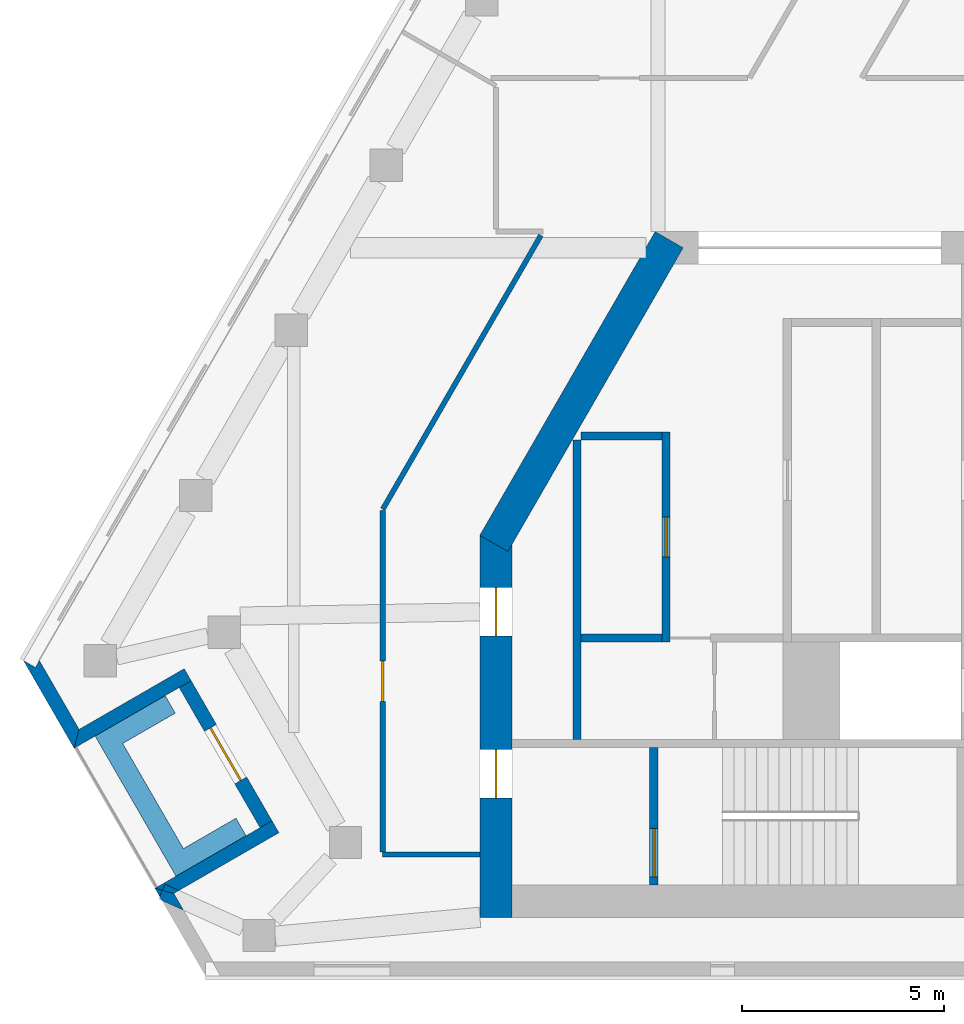
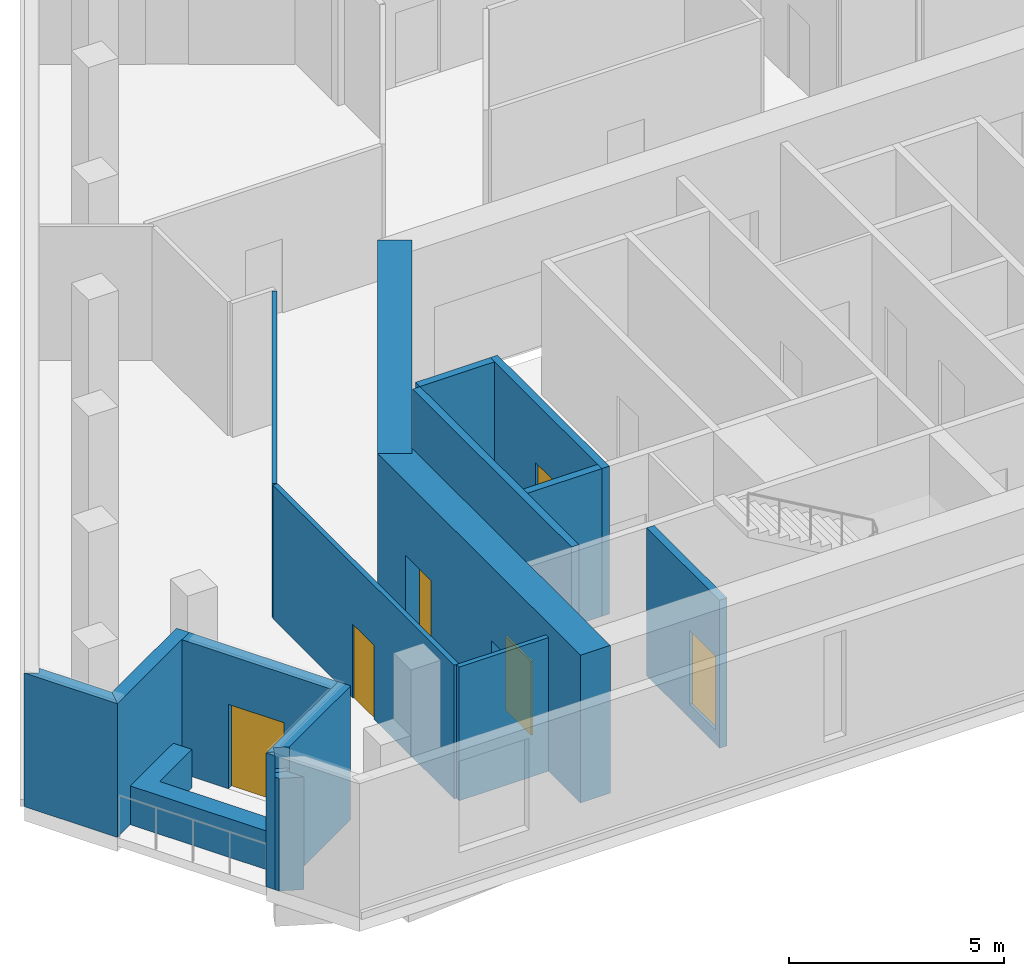
# One storey, part 2 of 8: 18 walls, 6 doors, 6 openings.
"""IFC4 building model written with IfcOpenShell, lengths in metres."""

from ifc_helpers import new_model, si_unit, direction, frame, frame_2d, origin, place, context, subcontext, project, spatial, polyline, rectangle, outline, extrude, material, layer, layer_set, type_object, element, fill, save


model = new_model("IFC4")

# Units and contexts
model_context = context("Model", 3, precision=1e-05, world=origin(), true_north=direction((0.0, 1.0)))
body_context = subcontext(model_context, "Body", "Model", "MODEL_VIEW")
ifc_project = project(units=[si_unit("LENGTHUNIT", "METRE"), si_unit("AREAUNIT", "SQUARE_METRE"), si_unit("VOLUMEUNIT", "CUBIC_METRE"), si_unit("PLANEANGLEUNIT", "RADIAN"), si_unit("MASSUNIT", "GRAM", prefix="KILO")], contexts=[model_context])

# Site, building, storey
site_placement = place(None, origin())
site = spatial("IfcSite", under=ifc_project, at=site_placement, CompositionType="ELEMENT")
building_placement = place(site_placement, origin())
building = spatial("IfcBuilding", under=site, at=building_placement, Name="Fogline Exchange Tower", CompositionType="ELEMENT")
storey_placement = place(building_placement, frame((0.0, 0.0, 318.300048828125)))
storey = spatial("IfcBuildingStorey", under=building, at=storey_placement, Name="L72", CompositionType="ELEMENT", Elevation=318.300048828125)

# Wall
ifc_material_1 = material(Name="Concrete C40", Category="concrete")
ifc_layer_1 = layer(ifc_material_1, 0.199951171875)
ifc_layer_set_1 = layer_set([ifc_layer_1], Name="CW20")
wall_type_1 = type_object("IfcWallType", Name="CW20", PredefinedType="SOLIDWALL", material=ifc_layer_set_1)
wall_1_placement = place(storey_placement, frame((-11.0, 5.85009765625, 0.0), z_axis=(0.0, 0.0, 1.0), x_axis=(0.0, 1.0, 0.0)))
element("IfcWall", 1, at=wall_1_placement, inside=storey, type_object=wall_type_1, Name="Service room wall", PredefinedType="SOLIDWALL", context=body_context, shape_type="SweptSolid", body=[
    extrude(rectangle(XDim=7.39990234375, YDim=0.199951171875, at=frame_2d((3.699951171875, 0.0))), origin(), (0.0, 0.0, 1.0), 3.800048828125),
])

# Wall, opening, door
ifc_layer_2 = layer(ifc_material_1, 0.199951171875)
ifc_layer_set_2 = layer_set([ifc_layer_2], Name="CW20R")
wall_type_2 = type_object("IfcWallType", Name="CW20R", PredefinedType="SOLIDWALL", material=ifc_layer_set_2)
wall_2_placement = place(storey_placement, frame((-9.10009765625, 2.25, -0.400146484375), z_axis=(0.0, 0.0, 1.0), x_axis=(0.0, 1.0, 0.0)))
wall_2 = element("IfcWall", 2, at=wall_2_placement, inside=storey, type_object=wall_type_2, Name="Stair enclosure wall", PredefinedType="SOLIDWALL", context=body_context, shape_type="SweptSolid", body=[
    extrude(rectangle(XDim=3.39990234375, YDim=0.199951171875, at=frame_2d((1.699951171875, 0.0))), origin(), (0.0, 0.0, 1.0), 4.2001953125),
])
opening_1_placement = place(wall_2_placement, frame((0.199951171875, 0.0, 0.39990234375)))
opening_1 = element("IfcOpeningElement", 3, at=opening_1_placement, cuts=wall_2, Name="Opening T22-C010", PredefinedType="OPENING", context=body_context, shape_type="SweptSolid", body=[
    extrude(rectangle(XDim=1.199951171875, YDim=2.10009765625, at=frame_2d((0.60009765625, 1.050048828125))), frame((0.0, 0.10986328125, 0.0), z_axis=(0.0, -1.0, 0.0), x_axis=(1.0, 0.0, 0.0)), (0.0, 0.0, 1.0), 0.219970703125),
])
ifc_material_2 = material(Name="Steel and timber fire door", Category="steel")
door_type_1 = type_object("IfcDoorType", Name="D-ST1", OperationType="SINGLE_SWING_LEFT", PredefinedType="DOOR", material=ifc_material_2)
door_1_placement = place(opening_1_placement, frame((1.199951171875, 0.0, 0.0), z_axis=(0.0, 0.0, 1.0), x_axis=(-1.0, 0.0, 0.0)))
door_1 = element("IfcDoor", 4, at=door_1_placement, inside=storey, type_object=door_type_1, Name="Stair door ST1", OperationType="SINGLE_SWING_RIGHT", OverallHeight=2.10009765625, OverallWidth=1.199951171875, PredefinedType="DOOR", context=body_context, shape_type="SweptSolid", body=[
    extrude(rectangle(XDim=1.199951171875, YDim=2.10009765625, at=frame_2d((0.60009765625, 1.050048828125))), frame((0.0, 0.02490234375, 0.0), z_axis=(0.0, -1.0, 0.0), x_axis=(1.0, 0.0, 0.0)), (0.0, 0.0, 1.0), 0.050048828125),
])
fill(opening_1, door_1)

ifc_layer_3 = layer(ifc_material_1, 0.199951171875)
ifc_layer_set_3 = layer_set([ifc_layer_3], Name="CW20S")
wall_type_3 = type_object("IfcWallType", Name="CW20S", PredefinedType="SOLIDWALL", material=ifc_layer_set_3)
wall_3_placement = place(storey_placement, frame((-8.800048828125, 8.25, -0.400146484375), z_axis=(0.0, 0.0, 1.0), x_axis=(0.0, 1.0, 0.0)))
wall_3 = element("IfcWall", 5, at=wall_3_placement, inside=storey, type_object=wall_type_3, Name="Lift shaft wall", PredefinedType="SOLIDWALL", context=body_context, shape_type="SweptSolid", body=[
    extrude(rectangle(XDim=5.199951171875, YDim=0.199951171875, at=frame_2d((2.60009765625, 0.0))), origin(), (0.0, 0.0, 1.0), 4.2001953125),
])
opening_2_placement = place(wall_3_placement, frame((2.10009765625, 0.0, 0.39990234375)))
opening_2 = element("IfcOpeningElement", 6, at=opening_2_placement, cuts=wall_3, Name="Opening T22-C001", PredefinedType="OPENING", context=body_context, shape_type="SweptSolid", body=[
    extrude(rectangle(XDim=1.0, YDim=2.10009765625, at=frame_2d((0.5, 1.050048828125))), frame((0.0, 0.10986328125, 0.0), z_axis=(0.0, -1.0, 0.0), x_axis=(1.0, 0.0, 0.0)), (0.0, 0.0, 1.0), 0.219970703125),
])
door_type_2 = type_object("IfcDoorType", Name="D-RM1", OperationType="SINGLE_SWING_LEFT", PredefinedType="DOOR", material=ifc_material_2)
door_2_placement = place(opening_2_placement, origin())
door_2 = element("IfcDoor", 7, at=door_2_placement, inside=storey, type_object=door_type_2, Name="Door to Records Room", OperationType="SINGLE_SWING_RIGHT", OverallHeight=2.10009765625, OverallWidth=1.0, PredefinedType="DOOR", context=body_context, shape_type="SweptSolid", body=[
    extrude(rectangle(XDim=1.0, YDim=2.10009765625, at=frame_2d((0.5, 1.050048828125))), frame((0.0, 0.02490234375, 0.0), z_axis=(0.0, -1.0, 0.0), x_axis=(1.0, 0.0, 0.0)), (0.0, 0.0, 1.0), 0.050048828125),
])
fill(opening_2, door_2)

# Walls
for number, where, z_axis, x_axis, name in (
    (8, (-10.89990234375, 8.35009765625, -0.400146484375), (0.0, 0.0, 1.0), (1.0, 0.0, 0.0), "Lift shaft wall"),
    (9, (-10.89990234375, 13.35009765625, -0.400146484375), (0.0, 0.0, 1.0), (1.0, 0.0, 0.0), "Lift shaft wall"),
):
    element("IfcWall", number, at=place(storey_placement, frame(where, z_axis=z_axis, x_axis=x_axis)), inside=storey, type_object=wall_type_3, Name=name, PredefinedType="SOLIDWALL", context=body_context, shape_type="SweptSolid", body=[
        extrude(rectangle(XDim=2.0, YDim=0.199951171875, at=frame_2d((1.0, 0.0))), origin(), (0.0, 0.0, 1.0), 4.2001953125),
    ])
ifc_material_3 = material(Name="Brick masonry", Category="masonry")
ifc_layer_4 = layer(ifc_material_3, 0.340087890625)
ifc_layer_set_4 = layer_set([ifc_layer_4], Name="FW1")
wall_type_4 = type_object("IfcWallType", Name="FW1", PredefinedType="SOLIDWALL", material=ifc_layer_set_4)
wall_4_placement = place(storey_placement, origin())
element("IfcWall", 10, at=wall_4_placement, inside=storey, type_object=wall_type_4, Name="Brick wall L72 SW-c1", PredefinedType="SOLIDWALL", context=body_context, shape_type="SweptSolid", body=[
    extrude(outline(polyline([(-23.4296875, 5.6279296875), (-24.680908203125, 7.794921875), (-24.680419921875, 7.79541015625), (-24.385498046875, 7.625), (-24.287109375, 7.79541015625), (-23.3046875, 6.09375), (-23.429443359375, 5.6279296875), (-23.4296875, 5.6279296875)])), origin(), (0.0, 0.0, 1.0), 3.800048828125),
])
wall_5_placement = place(storey_placement, origin())
element("IfcWall", 11, at=wall_5_placement, inside=storey, type_object=wall_type_4, Name="Brick wall L72 SW-s1", PredefinedType="SOLIDWALL", context=body_context, shape_type="SweptSolid", body=[
    extrude(outline(polyline([(-20.70703125, 7.594482421875), (-20.536376953125, 7.298828125), (-20.831298828125, 7.128662109375), (-23.430419921875, 5.628173828125), (-23.4306640625, 5.62841796875), (-23.305908203125, 6.093994140625), (-20.70703125, 7.594482421875)])), origin(), (0.0, 0.0, 1.0), 3.800048828125),
])

# Wall, opening, door
wall_6_placement = place(storey_placement, frame((-20.6845703125, 7.214111328125, 0.0), z_axis=(0.0, 0.0, 1.0), x_axis=(0.49999894854, -0.866026010844, 0.0)))
wall_6 = element("IfcWall", 12, at=wall_6_placement, inside=storey, type_object=wall_type_4, Name="Brick wall L72 SW-bk", PredefinedType="SOLIDWALL", context=body_context, shape_type="SweptSolid", body=[
    extrude(rectangle(XDim=4.0, YDim=0.340087890625, at=frame_2d((2.0, 0.0))), origin(), (0.0, 0.0, 1.0), 3.800048828125),
])
opening_3_placement = place(wall_6_placement, frame((1.25, 0.0, 0.0)))
opening_3 = element("IfcOpeningElement", 13, at=opening_3_placement, cuts=wall_6, Name="Opening T22-E021", PredefinedType="OPENING", context=body_context, shape_type="SweptSolid", body=[
    extrude(rectangle(XDim=1.5, YDim=2.39990234375, at=frame_2d((0.75, 1.199951171875))), frame((0.0, 0.18017578125, 0.0), z_axis=(0.0, -1.0, 0.0), x_axis=(1.0, 0.0, 0.0)), (0.0, 0.0, 1.0), 0.360107421875),
])
ifc_material_4 = material(Name="Aluminium and glass", Category="aluminium")
door_type_3 = type_object("IfcDoorType", Name="ED4", OperationType="SINGLE_SWING_LEFT", PredefinedType="DOOR", material=ifc_material_4)
door_3_placement = place(opening_3_placement, frame((1.5, 0.0, 0.0), z_axis=(0.0, 0.0, 1.0), x_axis=(-1.0, 0.0, 0.0)))
door_3 = element("IfcDoor", 14, at=door_3_placement, inside=storey, type_object=door_type_3, Name="Balcony door L72 SW", OperationType="DOUBLE_DOOR_SINGLE_SWING", OverallHeight=2.39990234375, OverallWidth=1.5, PredefinedType="DOOR", context=body_context, shape_type="SweptSolid", body=[
    extrude(rectangle(XDim=1.5, YDim=2.39990234375, at=frame_2d((0.75, 1.199951171875))), frame((0.0, 0.02490234375, 0.0), z_axis=(0.0, -1.0, 0.0), x_axis=(1.0, 0.0, 0.0)), (0.0, 0.0, 1.0), 0.050048828125),
])
fill(opening_3, door_3)

# Walls
wall_7_placement = place(storey_placement, origin())
element("IfcWall", 15, at=wall_7_placement, inside=storey, type_object=wall_type_4, Name="Brick wall L72 SW-s2", PredefinedType="SOLIDWALL", context=body_context, shape_type="SweptSolid", body=[
    extrude(outline(polyline([(-20.96533203125, 2.0400390625), (-21.2470703125, 2.115478515625), (-21.1787109375, 2.267333984375), (-20.837890625, 2.113525390625), (-20.96533203125, 2.0400390625)])), origin(), (0.0, 0.0, 1.0), 3.199951171875),
])
wall_8_placement = place(storey_placement, origin())
element("IfcWall", 16, at=wall_8_placement, inside=storey, type_object=wall_type_4, Name="Brick wall L72 SW-s2", PredefinedType="SOLIDWALL", context=body_context, shape_type="SweptSolid", body=[
    extrude(outline(polyline([(-18.83203125, 3.66552734375), (-18.537109375, 3.8359375), (-18.366455078125, 3.540283203125), (-20.837890625, 2.113525390625), (-21.1787109375, 2.267333984375), (-21.2470703125, 2.115478515625), (-21.430908203125, 2.164794921875), (-21.430908203125, 2.1650390625), (-18.83203125, 3.66552734375)])), origin(), (0.0, 0.0, 1.0), 3.800048828125),
])
wall_9_placement = place(storey_placement, origin())
element("IfcWall", 17, at=wall_9_placement, inside=storey, type_object=wall_type_4, Name="Brick wall L72 SW-c2", PredefinedType="SOLIDWALL", context=body_context, shape_type="SweptSolid", body=[
    extrude(outline(polyline([(-21.31494140625, 1.965087890625), (-21.24658203125, 2.11669921875), (-20.96484375, 2.041015625), (-20.723388671875, 1.623046875), (-21.25634765625, 1.863525390625), (-21.31494140625, 1.965087890625)])), origin(), (0.0, 0.0, 1.0), 3.199951171875),
])
wall_10_placement = place(storey_placement, origin())
element("IfcWall", 18, at=wall_10_placement, inside=storey, type_object=wall_type_4, Name="Brick wall L72 SW-c2", PredefinedType="SOLIDWALL", context=body_context, shape_type="SweptSolid", body=[
    extrude(outline(polyline([(-21.430908203125, 2.165771484375), (-21.4306640625, 2.166015625), (-21.24658203125, 2.11669921875), (-21.31494140625, 1.965087890625), (-21.430908203125, 2.165771484375)])), origin(), (0.0, 0.0, 1.0), 3.800048828125),
])
ifc_material_5 = material(Name="Concrete C30", Category="concrete")
ifc_layer_5 = layer(ifc_material_5, 0.199951171875)
ifc_layer_set_5 = layer_set([ifc_layer_5], Name="PL1")
wall_type_5 = type_object("IfcWallType", Name="PL1", PredefinedType="USERDEFINED", material=ifc_layer_set_5)
wall_11_placement = place(storey_placement, origin())
element("IfcWall", 19, at=wall_11_placement, inside=storey, type_object=wall_type_5, Name="PLANTER balcony L72 SW", ObjectType="PLANTER", PredefinedType="USERDEFINED", context=body_context, shape_type="SweptSolid", body=[
    extrude(outline(polyline([(-19.427978515625, 3.898193359375), (-20.727294921875, 3.148193359375), (-22.227294921875, 5.74609375), (-20.927978515625, 6.49609375), (-21.177978515625, 6.92919921875), (-22.91015625, 5.92919921875), (-22.66015625, 5.49609375), (-20.91015625, 2.465087890625), (-20.477294921875, 2.715087890625), (-20.477294921875, 2.715087890625), (-19.177978515625, 3.465087890625), (-19.427978515625, 3.898193359375)])), origin(), (0.0, 0.0, 1.0), 1.099853515625),
])
ifc_material_6 = material(Name="Plasterboard corridor partition with mineral wool, 2 layers each side")
ifc_layer_6 = layer(ifc_material_6, 0.125)
ifc_layer_set_6 = layer_set([ifc_layer_6], Name="PW2")
wall_type_6 = type_object("IfcWallType", Name="PW2", PredefinedType="PARTITIONING", material=ifc_layer_set_6)
wall_12_placement = place(storey_placement, frame((-13.39990234375, 3.0, 0.0), z_axis=(0.0, 0.0, 1.0), x_axis=(-1.0, 0.0, 0.0)))
element("IfcWall", 20, at=wall_12_placement, inside=storey, type_object=wall_type_6, Name="wall-L72-W015", PredefinedType="PARTITIONING", context=body_context, shape_type="SweptSolid", body=[
    extrude(rectangle(XDim=2.400146484375, YDim=0.125, at=frame_2d((1.2001953125, 0.0))), origin(), (0.0, 0.0, 1.0), 3.800048828125),
])

# Wall, opening, door
wall_13_placement = place(storey_placement, frame((-15.800048828125, 3.0625, 0.0), z_axis=(0.0, 0.0, 1.0), x_axis=(0.0, 1.0, 0.0)))
wall_13 = element("IfcWall", 21, at=wall_13_placement, inside=storey, type_object=wall_type_6, Name="wall-L72-W016", PredefinedType="PARTITIONING", context=body_context, shape_type="SweptSolid", body=[
    extrude(rectangle(XDim=8.44140625, YDim=0.125, at=frame_2d((4.220703125, 0.0))), origin(), (0.0, 0.0, 1.0), 3.800048828125),
])
opening_4_placement = place(wall_13_placement, frame((3.720703125, 0.0, 0.0)))
opening_4 = element("IfcOpeningElement", 22, at=opening_4_placement, cuts=wall_13, Name="Opening T22-D006", PredefinedType="OPENING", context=body_context, shape_type="SweptSolid", body=[
    extrude(rectangle(XDim=1.0, YDim=2.10009765625, at=frame_2d((0.5, 1.050048828125))), frame((0.0, 0.072509765625, 0.0), z_axis=(0.0, -1.0, 0.0), x_axis=(1.0, 0.0, 0.0)), (0.0, 0.0, 1.0), 0.14501953125),
])
ifc_material_7 = material(Name="Fire-rated timber door leaf with steel frame", Category="steel")
door_type_4 = type_object("IfcDoorType", Name="D3", OperationType="SINGLE_SWING_LEFT", PredefinedType="DOOR", material=ifc_material_7)
door_4_placement = place(opening_4_placement, origin())
door_4 = element("IfcDoor", 23, at=door_4_placement, inside=storey, type_object=door_type_4, Name="door-L72-D006", OperationType="SINGLE_SWING_LEFT", OverallHeight=2.10009765625, OverallWidth=1.0, PredefinedType="DOOR", context=body_context, shape_type="SweptSolid", body=[
    extrude(rectangle(XDim=1.0, YDim=2.10009765625, at=frame_2d((0.5, 1.050048828125))), frame((0.0, 0.02490234375, 0.0), z_axis=(0.0, -1.0, 0.0), x_axis=(1.0, 0.0, 0.0)), (0.0, 0.0, 1.0), 0.050048828125),
])
fill(opening_4, door_4)

# Walls
wall_14_placement = place(storey_placement, frame((-15.800048828125, 11.534912109375, 0.0), z_axis=(0.0, 0.0, 1.0), x_axis=(0.49999455806, 0.866028545667, 0.0)))
element("IfcWall", 24, at=wall_14_placement, inside=storey, type_object=wall_type_6, Name="wall-L72-W017", PredefinedType="PARTITIONING", context=body_context, shape_type="SweptSolid", body=[
    extrude(rectangle(XDim=7.818359375, YDim=0.125, at=frame_2d((3.9091796875, 0.0))), origin(), (0.0, 0.0, 1.0), 3.800048828125),
])
ifc_material_8 = material(Name="Concrete C50", Category="concrete")
ifc_layer_7 = layer(ifc_material_8, 0.800048828125)
ifc_layer_set_7 = layer_set([ifc_layer_7], Name="SW04")
wall_type_7 = type_object("IfcWallType", Name="SW04", PredefinedType="SHEAR", material=ifc_layer_set_7)
wall_15_placement = place(storey_placement, frame((-8.71875, 18.199951171875, 0.0), z_axis=(0.0, 0.0, 1.0), x_axis=(-0.500015780397, -0.866016292776, 0.0)))
element("IfcWall", 25, at=wall_15_placement, inside=storey, type_object=wall_type_7, Name="L72-W905", PredefinedType="SHEAR", context=body_context, shape_type="SweptSolid", body=[
    extrude(rectangle(XDim=8.669677734375, YDim=0.800048828125, at=frame_2d((4.3349609375, 0.0))), origin(), (0.0, 0.0, 1.0), 4.199951171875),
])

# Wall, openings, doors
wall_16_placement = place(storey_placement, frame((-13.0, 10.891845703125, 0.0), z_axis=(0.0, 0.0, 1.0), x_axis=(0.0, -1.0, 0.0)))
wall_16 = element("IfcWall", 26, at=wall_16_placement, inside=storey, type_object=wall_type_7, Name="L72-W906", PredefinedType="SHEAR", context=body_context, shape_type="SweptSolid", body=[
    extrude(rectangle(XDim=9.44189453125, YDim=0.800048828125, at=frame_2d((4.720947265625, 0.0))), origin(), (0.0, 0.0, 1.0), 4.199951171875),
])
opening_5_placement = place(wall_16_placement, frame((5.291748046875, 0.0, 0.0)))
opening_5 = element("IfcOpeningElement", 27, at=opening_5_placement, cuts=wall_16, Name="Opening T22-C009", PredefinedType="OPENING", context=body_context, shape_type="SweptSolid", body=[
    extrude(rectangle(XDim=1.199951171875, YDim=2.10009765625, at=frame_2d((0.60009765625, 1.050048828125))), frame((0.0, 0.41015625, 0.0), z_axis=(0.0, -1.0, 0.0), x_axis=(1.0, 0.0, 0.0)), (0.0, 0.0, 1.0), 0.820068359375),
])
opening_6_placement = place(wall_16_placement, frame((1.291748046875, 0.0, 0.0)))
opening_6 = element("IfcOpeningElement", 28, at=opening_6_placement, cuts=wall_16, Name="Opening T22-C011", PredefinedType="OPENING", context=body_context, shape_type="SweptSolid", body=[
    extrude(rectangle(XDim=1.199951171875, YDim=2.10009765625, at=frame_2d((0.60009765625, 1.050048828125))), frame((0.0, 0.41015625, 0.0), z_axis=(0.0, -1.0, 0.0), x_axis=(1.0, 0.0, 0.0)), (0.0, 0.0, 1.0), 0.820068359375),
])
door_type_5 = type_object("IfcDoorType", Name="D-FR1", OperationType="SINGLE_SWING_RIGHT", PredefinedType="DOOR", material=ifc_material_2)
door_5_placement = place(opening_5_placement, origin())
door_5 = element("IfcDoor", 29, at=door_5_placement, inside=storey, type_object=door_type_5, Name="Front room door ST1", OperationType="SINGLE_SWING_LEFT", OverallHeight=2.10009765625, OverallWidth=1.199951171875, PredefinedType="DOOR", context=body_context, shape_type="SweptSolid", body=[
    extrude(rectangle(XDim=1.199951171875, YDim=2.10009765625, at=frame_2d((0.60009765625, 1.050048828125))), frame((0.0, 0.02490234375, 0.0), z_axis=(0.0, -1.0, 0.0), x_axis=(1.0, 0.0, 0.0)), (0.0, 0.0, 1.0), 0.050048828125),
])
fill(opening_5, door_5)
door_type_6 = type_object("IfcDoorType", Name="D-SV1", OperationType="SINGLE_SWING_LEFT", PredefinedType="DOOR", material=ifc_material_2)
door_6_placement = place(opening_6_placement, origin())
door_6 = element("IfcDoor", 30, at=door_6_placement, inside=storey, type_object=door_type_6, Name="Service door W", OperationType="SINGLE_SWING_LEFT", OverallHeight=2.10009765625, OverallWidth=1.199951171875, PredefinedType="DOOR", context=body_context, shape_type="SweptSolid", body=[
    extrude(rectangle(XDim=1.199951171875, YDim=2.10009765625, at=frame_2d((0.60009765625, 1.050048828125))), frame((0.0, 0.02490234375, 0.0), z_axis=(0.0, -1.0, 0.0), x_axis=(1.0, 0.0, 0.0)), (0.0, 0.0, 1.0), 0.050048828125),
])
fill(opening_6, door_6)

save(model, "model.ifc")
